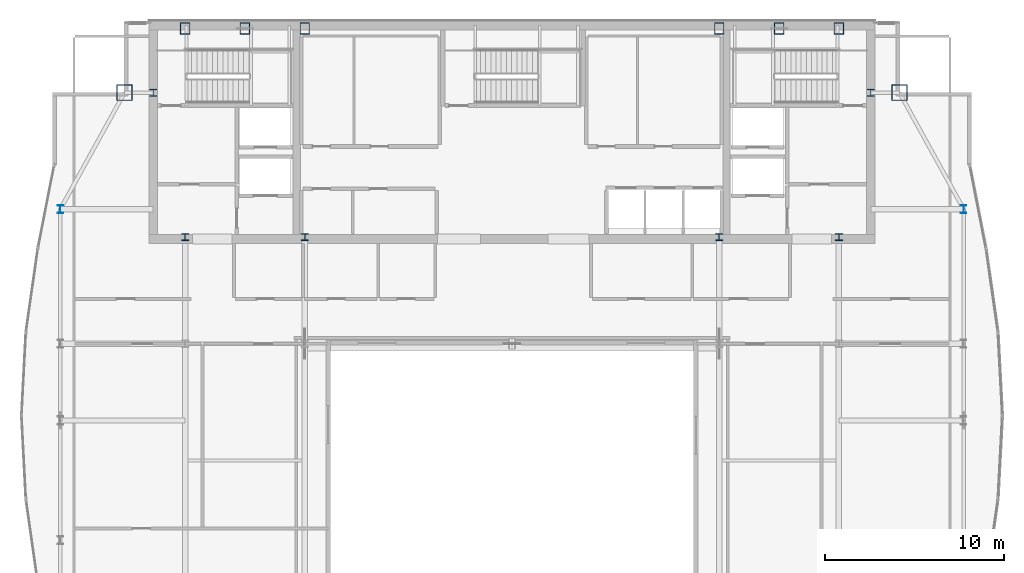
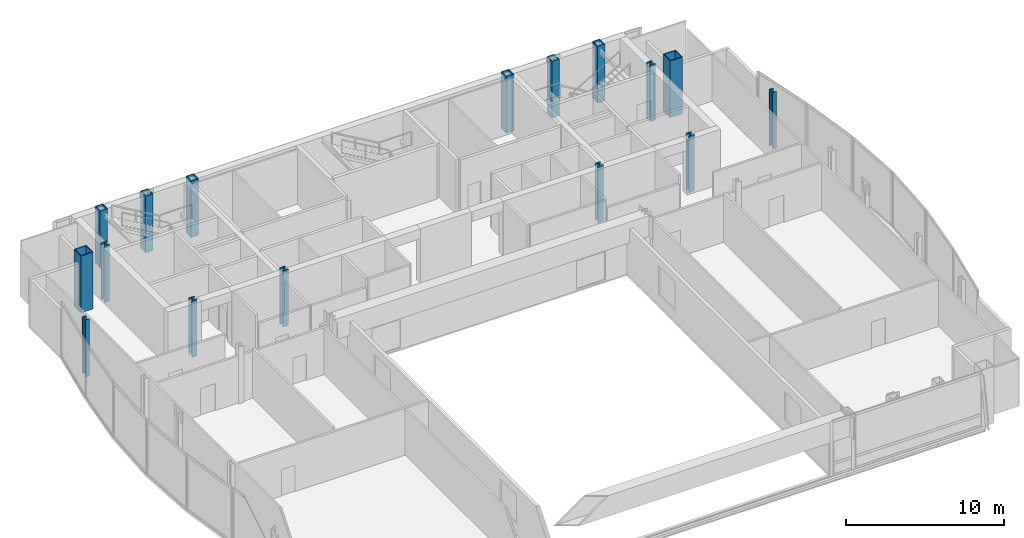
# One storey, part 3 of 27: 16 columns.
"""IFC4 building model written with IfcOpenShell, lengths in metres."""

from ifc_helpers import new_model, si_unit, direction, frame, origin, origin_2d, place, context, subcontext, project, spatial, hollow_rectangle, i_section, extrude, material, material_profile, profile_set, type_object, element, save


model = new_model("IFC4")

# Units and contexts
model_context = context("Model", 3, precision=1e-05, world=origin(), true_north=direction((0.0, 1.0)))
body_context = subcontext(model_context, "Body", "Model", "MODEL_VIEW")
ifc_project = project(units=[si_unit("LENGTHUNIT", "METRE"), si_unit("AREAUNIT", "SQUARE_METRE"), si_unit("VOLUMEUNIT", "CUBIC_METRE"), si_unit("PLANEANGLEUNIT", "RADIAN"), si_unit("MASSUNIT", "GRAM", prefix="KILO")], contexts=[model_context])

# Site, building, storey
site_placement = place(None, origin())
site = spatial("IfcSite", under=ifc_project, at=site_placement, CompositionType="ELEMENT")
building_placement = place(site_placement, origin())
building = spatial("IfcBuilding", under=site, at=building_placement, Name="Khoronbel Lancet Exchange", CompositionType="ELEMENT")
storey_placement = place(building_placement, frame((0.0, 0.0, 310.199951171875)))
storey = spatial("IfcBuildingStorey", under=building, at=storey_placement, Name="L80", CompositionType="ELEMENT", Elevation=310.199951171875)

# Columns
ifc_material_1 = material(Name="Steel S460", Category="steel")
ifc_material_profile_1 = material_profile(ifc_material_1, hollow_rectangle(XDim=0.550048828125, YDim=0.64990234375, WallThickness=0.0400390625, at=origin_2d()), Name="BOX 650x550x40")
ifc_profile_set_1 = profile_set([ifc_material_profile_1], Name="Steel S460")
column_type_1 = type_object("IfcColumnType", Name="COL-EC4", PredefinedType="COLUMN", material=ifc_profile_set_1)
for number, where, z_axis, x_axis, name in (
    (1, (18.22509765625, 53.280029296875, 0.0), (0.0, 0.0, 1.0), (1.0, 0.0, 0.0), "Structural column NC-W1 L80"),
    (2, (21.5625, 53.280029296875, 0.0), (0.0, 0.0, 1.0), (1.0, 0.0, 0.0), "Structural column NC-WM L80"),
    (3, (24.89990234375, 53.280029296875, 0.0), (0.0, 0.0, 1.0), (1.0, 0.0, 0.0), "Structural column NC-W2 L80"),
    (4, (48.0, 53.280029296875, 0.0), (0.0, 0.0, 1.0), (1.0, 0.0, 0.0), "Structural column NC-E1 L80"),
    (5, (51.33740234375, 53.280029296875, 0.0), (0.0, 0.0, 1.0), (1.0, 0.0, 0.0), "Structural column NC-EM L80"),
    (6, (54.675048828125, 53.280029296875, 0.0), (0.0, 0.0, 1.0), (1.0, 0.0, 0.0), "Structural column NC-E2 L80"),
):
    element("IfcColumn", number, at=place(storey_placement, frame(where, z_axis=z_axis, x_axis=x_axis)), inside=storey, type_object=column_type_1, Name=name, PredefinedType="COLUMN", context=body_context, shape_type="SweptSolid", body=[
        extrude(hollow_rectangle(XDim=0.550048828125, YDim=0.64990234375, WallThickness=0.0400390625, at=origin_2d()), origin(), (0.0, 0.0, 1.0), 4.400146484375),
    ])
ifc_material_2 = material(Name="Steel S355", Category="steel")
ifc_material_profile_2 = material_profile(ifc_material_2, i_section(OverallWidth=0.39892578125, OverallDepth=0.39306640625, WebThickness=0.022705078125, FlangeThickness=0.03662109375, at=origin_2d()), Name="HD 400x287")
ifc_profile_set_2 = profile_set([ifc_material_profile_2], Name="Steel S355")
column_type_2 = type_object("IfcColumnType", Name="COL-IC4", PredefinedType="COLUMN", material=ifc_profile_set_2)
for number, where, z_axis, x_axis, name in (
    (7, (16.449951171875, 49.699951171875, 0.0), (0.0, 0.0, 1.0), (1.0, 0.0, 0.0), "Core-flank plumb transfer column CFW L80"),
    (8, (56.449951171875, 49.699951171875, 0.0), (0.0, 0.0, 1.0), (1.0, 0.0, 0.0), "Core-flank plumb transfer column CFE L80"),
    (9, (18.22509765625, 41.64990234375, 0.0), (0.0, 0.0, 1.0), (1.0, 0.0, 0.0), "Core-embedded steel column CTC1 L80"),
    (10, (24.89990234375, 41.64990234375, 0.0), (0.0, 0.0, 1.0), (1.0, 0.0, 0.0), "Core-embedded steel column CTC2 L80"),
    (11, (48.0, 41.64990234375, 0.0), (0.0, 0.0, 1.0), (1.0, 0.0, 0.0), "Core-embedded steel column CTC3 L80"),
    (12, (54.675048828125, 41.64990234375, 0.0), (0.0, 0.0, 1.0), (1.0, 0.0, 0.0), "Core-embedded steel column CTC4 L80"),
):
    element("IfcColumn", number, at=place(storey_placement, frame(where, z_axis=z_axis, x_axis=x_axis)), inside=storey, type_object=column_type_2, Name=name, PredefinedType="COLUMN", context=body_context, shape_type="SweptSolid", body=[
        extrude(i_section(OverallWidth=0.39892578125, OverallDepth=0.39306640625, WebThickness=0.022705078125, FlangeThickness=0.03662109375, at=origin_2d()), origin(), (0.0, 0.0, 1.0), 4.400146484375),
    ])
ifc_material_profile_3 = material_profile(ifc_material_2, i_section(OverallWidth=0.300048828125, OverallDepth=0.449951171875, WebThickness=0.013916015625, FlangeThickness=0.02587890625, at=origin_2d()), Name="HEB 450")
ifc_profile_set_3 = profile_set([ifc_material_profile_3], Name="Steel S355")
column_type_3 = type_object("IfcColumnType", Name="COL-LC2", PredefinedType="COLUMN", material=ifc_profile_set_3)
for number, where, z_axis, x_axis, name in (
    (13, (11.27001953125, 43.199951171875, 0.0), (0.0, 0.0, 1.0), (1.0, 0.0, 0.0), "Structural column WC-4 L80"),
    (14, (61.6298828125, 43.199951171875, 0.0), (0.0, 0.0, 1.0), (1.0, 0.0, 0.0), "Structural column EC-4 L80"),
):
    element("IfcColumn", number, at=place(storey_placement, frame(where, z_axis=z_axis, x_axis=x_axis)), inside=storey, type_object=column_type_3, Name=name, PredefinedType="COLUMN", context=body_context, shape_type="SweptSolid", body=[
        extrude(i_section(OverallWidth=0.300048828125, OverallDepth=0.449951171875, WebThickness=0.013916015625, FlangeThickness=0.02587890625, at=origin_2d()), origin(), (0.0, 0.0, 1.0), 4.400146484375),
    ])
ifc_material_profile_4 = material_profile(ifc_material_1, hollow_rectangle(XDim=0.89990234375, YDim=0.89990234375, WallThickness=0.050048828125, at=origin_2d()), Name="BOX 900x900x50")
ifc_profile_set_4 = profile_set([ifc_material_profile_4], Name="Steel S460")
column_type_4 = type_object("IfcColumnType", Name="COL-MC7", PredefinedType="COLUMN", material=ifc_profile_set_4)
for number, where, z_axis, x_axis, name in (
    (15, (58.050048828125, 49.699951171875, 0.0), (0.0, 0.0, 1.0), (1.0, 0.0, 0.0), "Structural column MC-NE L80"),
    (16, (14.85009765625, 49.699951171875, 0.0), (0.0, 0.0, 1.0), (1.0, 0.0, 0.0), "Structural column MC-NW L80"),
):
    element("IfcColumn", number, at=place(storey_placement, frame(where, z_axis=z_axis, x_axis=x_axis)), inside=storey, type_object=column_type_4, Name=name, PredefinedType="COLUMN", context=body_context, shape_type="SweptSolid", body=[
        extrude(hollow_rectangle(XDim=0.89990234375, YDim=0.89990234375, WallThickness=0.050048828125, at=origin_2d()), origin(), (0.0, 0.0, 1.0), 4.400146484375),
    ])

save(model, "model.ifc")
